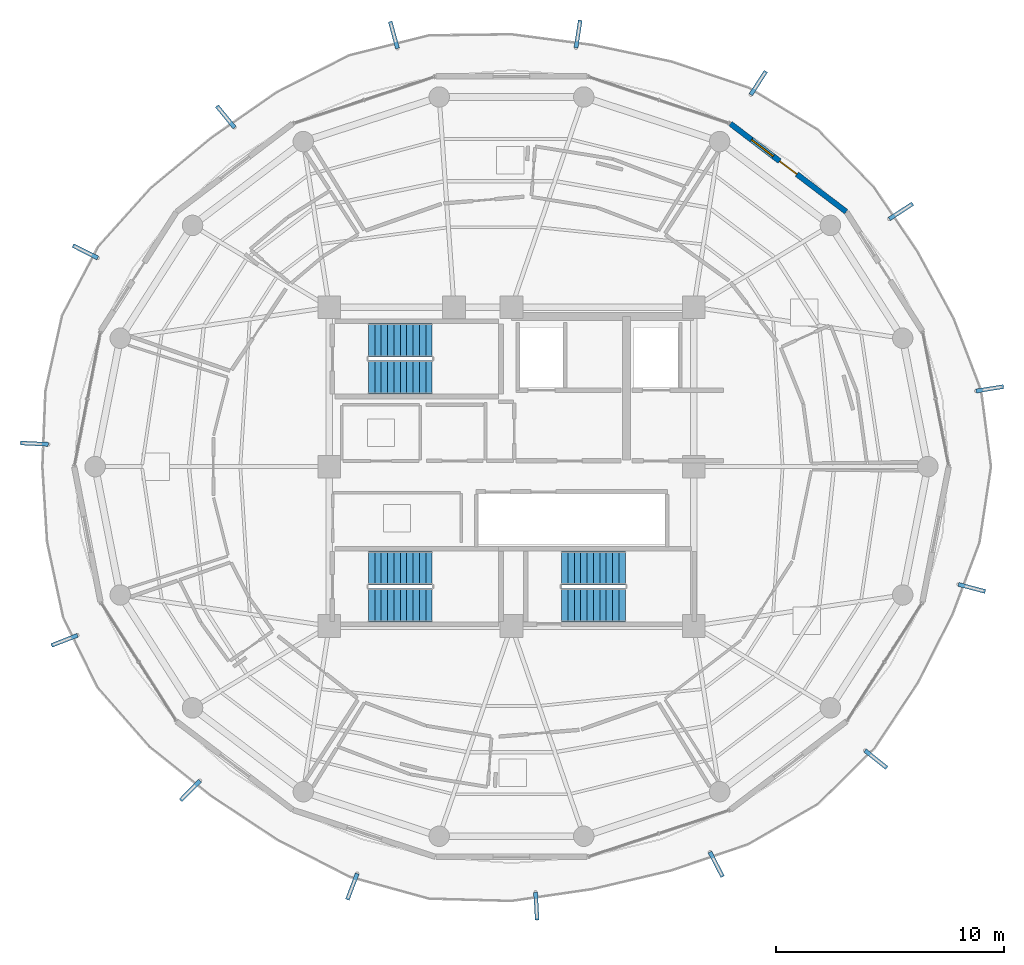
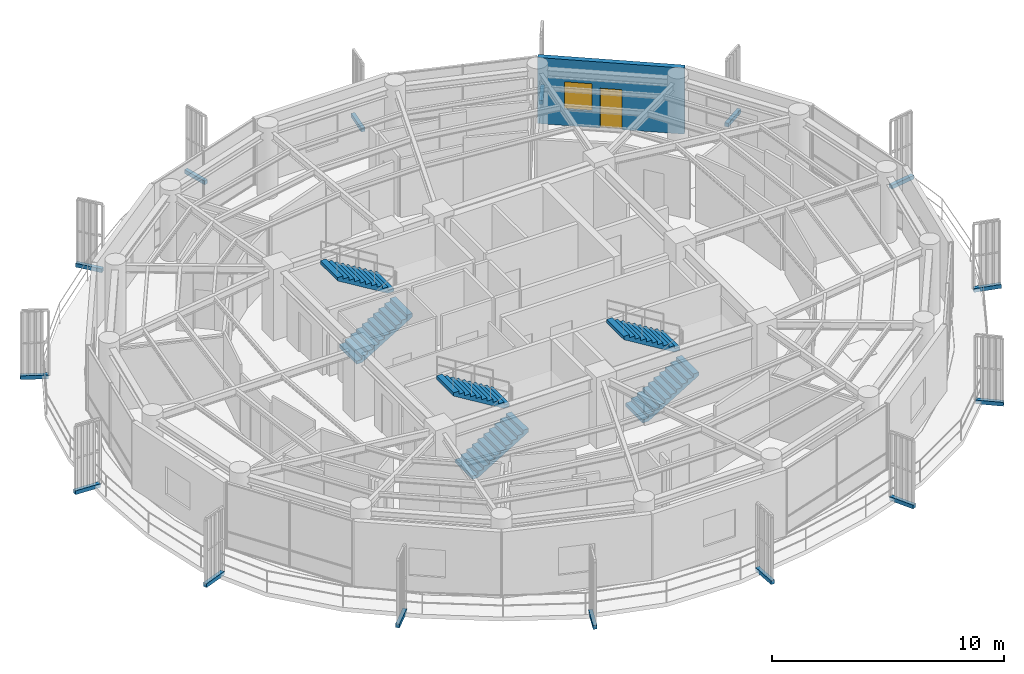
# One storey, part 19 of 23: 15 discrete accessories, 6 stair flights, 1 door, 1 wall, 1 window, 2 openings, 3 elements without a shape of their own.
"""IFC4 building model written with IfcOpenShell, lengths in metres."""

from ifc_helpers import new_model, si_unit, direction, frame, frame_2d, origin, origin_2d, place, context, subcontext, project, spatial, polyline, rectangle, outline, extrude, source, transform, mapped, material, layer, layer_set, type_object, element, fill, aggregate, save


model = new_model("IFC4")

# Units and contexts
model_context = context("Model", 3, precision=1e-05, world=origin(), true_north=direction((0.0, 1.0)))
body_context = subcontext(model_context, "Body", "Model", "MODEL_VIEW")
ifc_project = project(units=[si_unit("LENGTHUNIT", "METRE"), si_unit("AREAUNIT", "SQUARE_METRE"), si_unit("VOLUMEUNIT", "CUBIC_METRE"), si_unit("PLANEANGLEUNIT", "RADIAN"), si_unit("MASSUNIT", "GRAM", prefix="KILO")], contexts=[model_context])

# Site, building, storey
site_placement = place(None, origin())
site = spatial("IfcSite", under=ifc_project, at=site_placement, CompositionType="ELEMENT")
building_placement = place(site_placement, origin())
building = spatial("IfcBuilding", under=site, at=building_placement, Name="Kelanora Arch Commons", CompositionType="ELEMENT")
storey_placement = place(building_placement, frame((0.0, 0.0, 278.699951171875)))
storey = spatial("IfcBuildingStorey", under=building, at=storey_placement, Name="L71", CompositionType="ELEMENT", Elevation=278.699951171875)

# Wall, openings, door, window
ifc_material_1 = material(Name="Precast concrete C40/50 upper-zone terracotta rainscreen", Category="masonry")
ifc_layer = layer(ifc_material_1, 0.239990234375)
ifc_layer_set = layer_set([ifc_layer], Name="Precast concrete C40/50 upper-zone terracotta rainscreen")
wall_type = type_object("IfcWallType", Name="W-EXT-TC2", PredefinedType="SOLIDWALL", material=ifc_layer_set)
wall_placement = place(storey_placement, frame((88.6962890625, 69.193603515625, 0.0), z_axis=(0.0, 0.0, 1.0), x_axis=(-0.796010444211, 0.605282886514, 0.0)))
wall = element("IfcWall", 1, at=wall_placement, inside=storey, type_object=wall_type, Name="Terracotta Exterior Wall L71-B02", PredefinedType="SOLIDWALL", context=body_context, shape_type="SweptSolid", body=[
    extrude(rectangle(XDim=6.387451171875, YDim=0.239990234375, at=frame_2d((3.19384765625, 0.0))), origin(), (0.0, 0.0, 1.0), 3.47509765625),
])
opening_1_placement = place(wall_placement, frame((2.718994140625, 0.0, 0.0)))
opening_1 = element("IfcOpeningElement", 2, at=opening_1_placement, cuts=wall, Name="Opening DB-01", PredefinedType="OPENING", context=body_context, shape_type="SweptSolid", body=[
    extrude(rectangle(XDim=0.949951171875, YDim=2.10009765625, at=frame_2d((0.47509765625, 1.050048828125))), frame((0.0, 0.1298828125, 0.0), z_axis=(0.0, -1.0, 0.0), x_axis=(1.0, 0.0, 0.0)), (0.0, 0.0, 1.0), 0.260009765625),
])
opening_2_placement = place(wall_placement, frame((4.01904296875, 0.0, 0.85009765625)))
opening_2 = element("IfcOpeningElement", 3, at=opening_2_placement, cuts=wall, Name="Opening WN-02", PredefinedType="OPENING", context=body_context, shape_type="SweptSolid", body=[
    extrude(rectangle(XDim=1.199951171875, YDim=1.449951171875, at=frame_2d((0.60009765625, 0.72509765625))), frame((0.0, 0.1298828125, 0.0), z_axis=(0.0, -1.0, 0.0), x_axis=(1.0, 0.0, 0.0)), (0.0, 0.0, 1.0), 0.260009765625),
])
ifc_material_2 = material(Name="Terracotta-aluminium thermally broken glazed balcony door", Category="masonry")
door_type = type_object("IfcDoorType", Name="D-BAL-10", OperationType="NOTDEFINED", PredefinedType="DOOR", material=ifc_material_2)
door_placement = place(opening_1_placement, frame((0.949951171875, 0.0, 0.0), z_axis=(0.0, 0.0, 1.0), x_axis=(-1.0, 0.0, 0.0)))
door = element("IfcDoor", 4, at=door_placement, inside=storey, type_object=door_type, Name="Wave Balcony Door L71-B02", OperationType="SINGLE_SWING_RIGHT", OverallHeight=2.10009765625, OverallWidth=0.949951171875, PredefinedType="DOOR", context=body_context, shape_type="SweptSolid", body=[
    extrude(rectangle(XDim=0.949951171875, YDim=2.10009765625, at=frame_2d((0.47509765625, 1.050048828125))), frame((0.0, 0.02490234375, 0.0), z_axis=(0.0, -1.0, 0.0), x_axis=(1.0, 0.0, 0.0)), (0.0, 0.0, 1.0), 0.050048828125),
])
fill(opening_1, door)
ifc_material_3 = material(Name="Terracotta-anodised aluminium frame with operable awning sash", Category="masonry")
window_type = type_object("IfcWindowType", Name="WIN-CL-12", PartitioningType="SINGLE_PANEL", PredefinedType="WINDOW", material=ifc_material_3)
window_placement = place(opening_2_placement, origin())
window = element("IfcWindow", 5, at=window_placement, inside=storey, type_object=window_type, Name="Co-Living Operable Window L71-B02", OverallHeight=1.449951171875, OverallWidth=1.199951171875, PartitioningType="SINGLE_PANEL", PredefinedType="WINDOW", context=body_context, shape_type="SweptSolid", body=[
    extrude(rectangle(XDim=1.199951171875, YDim=1.449951171875, at=frame_2d((0.60009765625, 0.72509765625))), frame((0.0, 0.030029296875, 0.0), z_axis=(0.0, -1.0, 0.0), x_axis=(1.0, 0.0, 0.0)), (0.0, 0.0, 1.0), 0.06005859375),
])
fill(opening_2, window)

# Stair, stair flights
ifc_material_4 = material(Name="Concrete C40/50", Category="concrete")
stair_type = type_object("IfcStairType", Name="STR-DL-375", PredefinedType="HALF_TURN_STAIR", material=ifc_material_4)
stair_1_placement = place(storey_placement, origin())
stair_1 = element("IfcStair", 6, at=stair_1_placement, inside=storey, type_object=stair_type, Name="L71 ST-T1", PredefinedType="HALF_TURN_STAIR")
stair_flight_type = type_object("IfcStairFlightType", Name="FLT-DL-375", PredefinedType="STRAIGHT", material=ifc_material_4)
stair_flight_1_placement = place(storey_placement, frame((67.719970703125, 61.919921875, 0.0), z_axis=(0.0, 0.0, 1.0), x_axis=(1.0, 0.0, 0.0)))
stair_flight_1 = element("IfcStairFlight", 7, at=stair_flight_1_placement, type_object=stair_flight_type, Name="ST-T1 flight 1", NumberOfRisers=11, NumberOfTreads=10, PredefinedType="STRAIGHT", RiserHeight=0.170454545, TreadLength=0.28, context=body_context, shape_type="SweptSolid", body=[
    extrude(outline(polyline([(0.0, 0.0), (0.0, 0.17041015625), (0.280029296875, 0.17041015625), (0.280029296875, 0.3408203125), (0.56005859375, 0.3408203125), (0.56005859375, 0.511474609375), (0.840087890625, 0.511474609375), (0.840087890625, 0.681884765625), (1.1201171875, 0.681884765625), (1.1201171875, 0.852294921875), (1.39990234375, 0.852294921875), (1.39990234375, 1.022705078125), (1.679931640625, 1.022705078125), (1.679931640625, 1.193115234375), (1.9599609375, 1.193115234375), (1.9599609375, 1.363525390625), (2.239990234375, 1.363525390625), (2.239990234375, 1.5341796875), (2.52001953125, 1.5341796875), (2.52001953125, 1.70458984375), (2.800048828125, 1.70458984375), (2.800048828125, 1.875), (2.800048828125, 1.529052734375), (0.288330078125, 0.0), (0.0, 0.0)])), frame((0.0, 0.739990234375, 0.0), z_axis=(0.0, -1.0, 0.0), x_axis=(1.0, 0.0, 0.0)), (0.0, 0.0, 1.0), 1.47998046875),
])
stair_flight_2_placement = place(storey_placement, frame((70.52001953125, 63.550048828125, 1.875), z_axis=(0.0, 0.0, 1.0), x_axis=(-1.0, 0.0, 0.0)))
stair_flight_2 = element("IfcStairFlight", 8, at=stair_flight_2_placement, type_object=stair_flight_type, Name="ST-T1 flight 2", NumberOfRisers=11, NumberOfTreads=10, PredefinedType="STRAIGHT", RiserHeight=0.170454545, TreadLength=0.28, context=body_context, shape_type="SweptSolid", body=[
    extrude(outline(polyline([(0.0, 0.0), (0.0, 0.17041015625), (0.280029296875, 0.17041015625), (0.280029296875, 0.3408203125), (0.56005859375, 0.3408203125), (0.56005859375, 0.511474609375), (0.840087890625, 0.511474609375), (0.840087890625, 0.681884765625), (1.1201171875, 0.681884765625), (1.1201171875, 0.852294921875), (1.39990234375, 0.852294921875), (1.39990234375, 1.022705078125), (1.679931640625, 1.022705078125), (1.679931640625, 1.193115234375), (1.9599609375, 1.193115234375), (1.9599609375, 1.363525390625), (2.239990234375, 1.363525390625), (2.239990234375, 1.5341796875), (2.52001953125, 1.5341796875), (2.52001953125, 1.70458984375), (2.800048828125, 1.70458984375), (2.800048828125, 1.875), (2.800048828125, 1.529052734375), (0.288330078125, 0.0), (0.0, 0.0)])), frame((0.0, 0.739990234375, 0.0), z_axis=(0.0, -1.0, 0.0), x_axis=(1.0, 0.0, 0.0)), (0.0, 0.0, 1.0), 1.47998046875),
])
aggregate(stair_1, [stair_flight_1, stair_flight_2])

stair_2_placement = place(storey_placement, origin())
stair_2 = element("IfcStair", 9, at=stair_2_placement, inside=storey, type_object=stair_type, Name="L71 ST-T2", PredefinedType="HALF_TURN_STAIR")
stair_flight_3_placement = place(storey_placement, frame((76.199951171875, 51.919921875, 0.0), z_axis=(0.0, 0.0, 1.0), x_axis=(1.0, 0.0, 0.0)))
stair_flight_3 = element("IfcStairFlight", 10, at=stair_flight_3_placement, type_object=stair_flight_type, Name="ST-T2 flight 1", NumberOfRisers=11, NumberOfTreads=10, PredefinedType="STRAIGHT", RiserHeight=0.170454545, TreadLength=0.28, context=body_context, shape_type="SweptSolid", body=[
    extrude(outline(polyline([(0.0, 0.0), (0.0, 0.17041015625), (0.280029296875, 0.17041015625), (0.280029296875, 0.3408203125), (0.56005859375, 0.3408203125), (0.56005859375, 0.511474609375), (0.840087890625, 0.511474609375), (0.840087890625, 0.681884765625), (1.1201171875, 0.681884765625), (1.1201171875, 0.852294921875), (1.39990234375, 0.852294921875), (1.39990234375, 1.022705078125), (1.679931640625, 1.022705078125), (1.679931640625, 1.193115234375), (1.9599609375, 1.193115234375), (1.9599609375, 1.363525390625), (2.239990234375, 1.363525390625), (2.239990234375, 1.5341796875), (2.52001953125, 1.5341796875), (2.52001953125, 1.70458984375), (2.800048828125, 1.70458984375), (2.800048828125, 1.875), (2.800048828125, 1.529052734375), (0.288330078125, 0.0), (0.0, 0.0)])), frame((0.0, 0.739990234375, 0.0), z_axis=(0.0, -1.0, 0.0), x_axis=(1.0, 0.0, 0.0)), (0.0, 0.0, 1.0), 1.47998046875),
])
stair_flight_4_placement = place(storey_placement, frame((79.0, 53.550048828125, 1.875), z_axis=(0.0, 0.0, 1.0), x_axis=(-1.0, 0.0, 0.0)))
stair_flight_4 = element("IfcStairFlight", 11, at=stair_flight_4_placement, type_object=stair_flight_type, Name="ST-T2 flight 2", NumberOfRisers=11, NumberOfTreads=10, PredefinedType="STRAIGHT", RiserHeight=0.170454545, TreadLength=0.28, context=body_context, shape_type="SweptSolid", body=[
    extrude(outline(polyline([(0.0, 0.0), (0.0, 0.17041015625), (0.280029296875, 0.17041015625), (0.280029296875, 0.3408203125), (0.56005859375, 0.3408203125), (0.56005859375, 0.511474609375), (0.840087890625, 0.511474609375), (0.840087890625, 0.681884765625), (1.1201171875, 0.681884765625), (1.1201171875, 0.852294921875), (1.39990234375, 0.852294921875), (1.39990234375, 1.022705078125), (1.679931640625, 1.022705078125), (1.679931640625, 1.193115234375), (1.9599609375, 1.193115234375), (1.9599609375, 1.363525390625), (2.239990234375, 1.363525390625), (2.239990234375, 1.5341796875), (2.52001953125, 1.5341796875), (2.52001953125, 1.70458984375), (2.800048828125, 1.70458984375), (2.800048828125, 1.875), (2.800048828125, 1.529052734375), (0.288330078125, 0.0), (0.0, 0.0)])), frame((0.0, 0.739990234375, 0.0), z_axis=(0.0, -1.0, 0.0), x_axis=(1.0, 0.0, 0.0)), (0.0, 0.0, 1.0), 1.47998046875),
])
aggregate(stair_2, [stair_flight_3, stair_flight_4])

stair_3_placement = place(storey_placement, origin())
stair_3 = element("IfcStair", 12, at=stair_3_placement, inside=storey, type_object=stair_type, Name="L71 ST-T3", PredefinedType="HALF_TURN_STAIR")
stair_flight_5_placement = place(storey_placement, frame((67.719970703125, 51.919921875, 0.0), z_axis=(0.0, 0.0, 1.0), x_axis=(1.0, 0.0, 0.0)))
stair_flight_5 = element("IfcStairFlight", 13, at=stair_flight_5_placement, type_object=stair_flight_type, Name="ST-T3 flight 1", NumberOfRisers=11, NumberOfTreads=10, PredefinedType="STRAIGHT", RiserHeight=0.170454545, TreadLength=0.28, context=body_context, shape_type="SweptSolid", body=[
    extrude(outline(polyline([(0.0, 0.0), (0.0, 0.17041015625), (0.280029296875, 0.17041015625), (0.280029296875, 0.3408203125), (0.56005859375, 0.3408203125), (0.56005859375, 0.511474609375), (0.840087890625, 0.511474609375), (0.840087890625, 0.681884765625), (1.1201171875, 0.681884765625), (1.1201171875, 0.852294921875), (1.39990234375, 0.852294921875), (1.39990234375, 1.022705078125), (1.679931640625, 1.022705078125), (1.679931640625, 1.193115234375), (1.9599609375, 1.193115234375), (1.9599609375, 1.363525390625), (2.239990234375, 1.363525390625), (2.239990234375, 1.5341796875), (2.52001953125, 1.5341796875), (2.52001953125, 1.70458984375), (2.800048828125, 1.70458984375), (2.800048828125, 1.875), (2.800048828125, 1.529052734375), (0.288330078125, 0.0), (0.0, 0.0)])), frame((0.0, 0.739990234375, 0.0), z_axis=(0.0, -1.0, 0.0), x_axis=(1.0, 0.0, 0.0)), (0.0, 0.0, 1.0), 1.47998046875),
])
stair_flight_6_placement = place(storey_placement, frame((70.52001953125, 53.550048828125, 1.875), z_axis=(0.0, 0.0, 1.0), x_axis=(-1.0, 0.0, 0.0)))
stair_flight_6 = element("IfcStairFlight", 14, at=stair_flight_6_placement, type_object=stair_flight_type, Name="ST-T3 flight 2", NumberOfRisers=11, NumberOfTreads=10, PredefinedType="STRAIGHT", RiserHeight=0.170454545, TreadLength=0.28, context=body_context, shape_type="SweptSolid", body=[
    extrude(outline(polyline([(0.0, 0.0), (0.0, 0.17041015625), (0.280029296875, 0.17041015625), (0.280029296875, 0.3408203125), (0.56005859375, 0.3408203125), (0.56005859375, 0.511474609375), (0.840087890625, 0.511474609375), (0.840087890625, 0.681884765625), (1.1201171875, 0.681884765625), (1.1201171875, 0.852294921875), (1.39990234375, 0.852294921875), (1.39990234375, 1.022705078125), (1.679931640625, 1.022705078125), (1.679931640625, 1.193115234375), (1.9599609375, 1.193115234375), (1.9599609375, 1.363525390625), (2.239990234375, 1.363525390625), (2.239990234375, 1.5341796875), (2.52001953125, 1.5341796875), (2.52001953125, 1.70458984375), (2.800048828125, 1.70458984375), (2.800048828125, 1.875), (2.800048828125, 1.529052734375), (0.288330078125, 0.0), (0.0, 0.0)])), frame((0.0, 0.739990234375, 0.0), z_axis=(0.0, -1.0, 0.0), x_axis=(1.0, 0.0, 0.0)), (0.0, 0.0, 1.0), 1.47998046875),
])
aggregate(stair_3, [stair_flight_5, stair_flight_6])

# Discrete accessories
ifc_material_5 = material(Name="Stainless steel 316 marine fin bracket", Category="steel")
discrete_accessory_type = type_object("IfcDiscreteAccessoryType", Name="ACC-FIN-BRK", PredefinedType="BRACKET", material=ifc_material_5)
shared_shape = source(origin(), body_context, "Body", "SweptSolid", [
    extrude(rectangle(XDim=1.223388671875, YDim=0.179931640625, at=origin_2d()), origin(), (0.0, 0.0, 1.0), 0.199951171875),
])
for number, where, z_axis, x_axis, name in (
    (15, (94.213134765625, 52.67529296875, -0.16015625), (0.0, 0.0, 1.0), (0.967001487762, -0.254770725683, 0.0), "Sweeping Fin Cantilever Spine Bracket L71-00"),
    (16, (95.0009765625, 61.417236328125, -0.16015625), (0.0, 0.0, 1.0), (0.987024406397, 0.160570299793, 0.0), "Sweeping Fin Cantilever Spine Bracket L71-01"),
    (17, (91.101318359375, 69.208740234375, -0.16015625), (0.0, 0.0, 1.0), (0.836381838331, 0.548147261701, 0.0), "Sweeping Fin Cantilever Spine Bracket L71-02"),
    (18, (84.83740234375, 74.84326171875, -0.16015625), (0.0, 0.0, 1.0), (0.541121252127, 0.840944582298, 0.0), "Sweeping Fin Cantilever Spine Bracket L71-03"),
    (19, (76.92578125, 76.99267578125, -0.16015625), (0.0, 0.0, 1.0), (0.152295885498, 0.988334944875, 0.0), "Sweeping Fin Cantilever Spine Bracket L71-04"),
    (20, (68.83544921875, 76.95361328125, -0.16015625), (0.0, 0.0, 1.0), (-0.262862823299, 0.964833216741, 0.0), "Sweeping Fin Cantilever Spine Bracket L71-05"),
    (21, (61.454345703125, 73.359619140625, -0.16015625), (0.0, 0.0, 1.0), (-0.632570161913, 0.774503060199, 0.0), "Sweeping Fin Cantilever Spine Bracket L71-06"),
    (22, (55.290771484375, 67.43359375, -0.16015625), (0.0, 0.0, 1.0), (-0.892900372813, 0.450254288408, 0.0), "Sweeping Fin Cantilever Spine Bracket L71-07"),
    (23, (53.05224609375, 59.009033203125, -0.16015625), (0.0, 0.0, 1.0), (-0.998839997509, 0.04815245972, 0.0), "Sweeping Fin Cantilever Spine Bracket L71-08"),
    (24, (54.37744140625, 50.372314453125, -0.16015625), (0.0, 0.0, 1.0), (-0.932071112458, -0.362275366705, 0.0), "Sweeping Fin Cantilever Spine Bracket L71-09"),
    (25, (59.897705078125, 43.7783203125, -0.16015625), (0.0, 0.0, 1.0), (-0.704138664464, -0.710062491058, 0.0), "Sweeping Fin Cantilever Spine Bracket L71-10"),
    (26, (67.0107421875, 39.560302734375, -0.16015625), (0.0, 0.0, 1.0), (-0.354454244484, -0.935073359992, 0.0), "Sweeping Fin Cantilever Spine Bracket L71-11"),
    (27, (75.093017578125, 38.70263671875, -0.16015625), (0.0, 0.0, 1.0), (0.056518534482, -0.998401550109, 0.0), "Sweeping Fin Cantilever Spine Bracket L71-12"),
    (28, (82.990966796875, 40.537109375, -0.16015625), (0.0, 0.0, 1.0), (0.457718745382, -0.889097042019, 0.0), "Sweeping Fin Cantilever Spine Bracket L71-13"),
    (29, (90.00048828125, 45.15478515625, -0.16015625), (0.0, 0.0, 1.0), (0.779775226961, -0.62605957817, 0.0), "Sweeping Fin Cantilever Spine Bracket L71-14"),
):
    element("IfcDiscreteAccessory", number, at=place(storey_placement, frame(where, z_axis=z_axis, x_axis=x_axis)), inside=storey, type_object=discrete_accessory_type, Name=name, PredefinedType="BRACKET", context=body_context, shape_type="MappedRepresentation", body=[
        mapped(shared_shape, transform((0.0, 0.0, 0.0), scale=1.0)),
    ])

save(model, "model.ifc")
